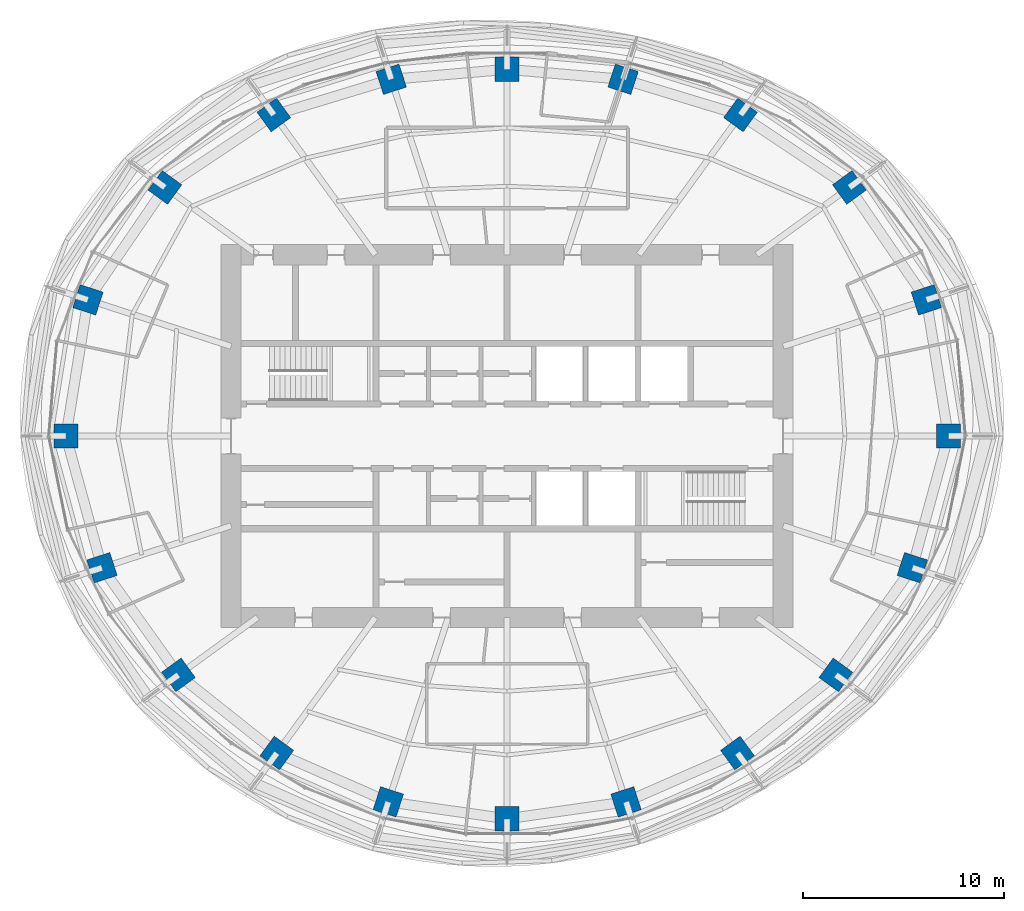
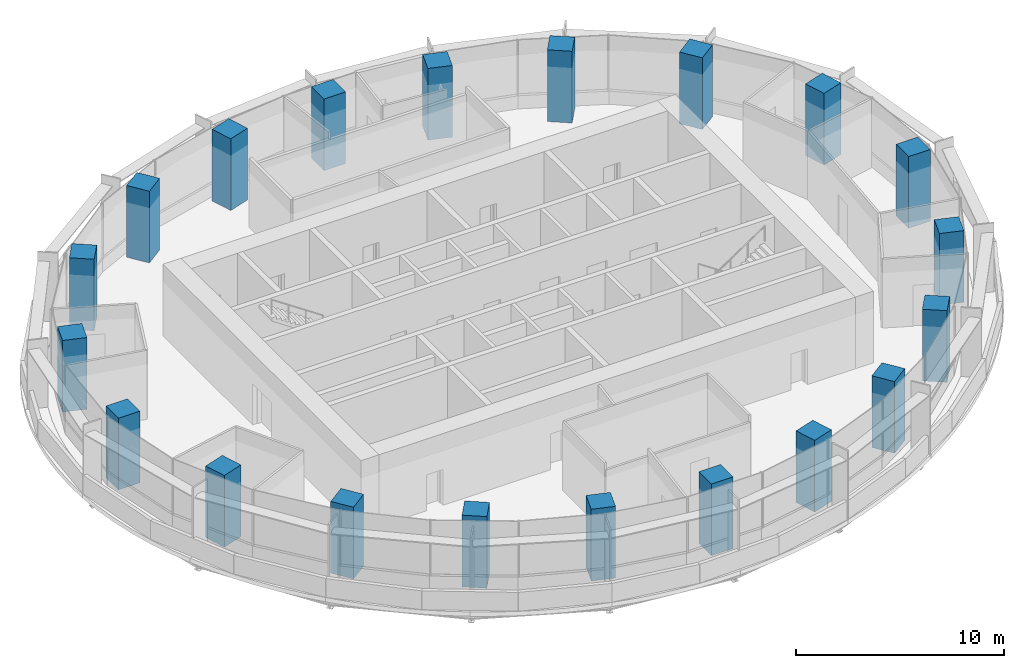
# One storey, part 1 of 15: 20 columns.
"""IFC4 building model written with IfcOpenShell, lengths in metres."""

import ifcopenshell
import ifcopenshell.guid

model = None  # the IFC model being written
_history = None  # IfcOwnerHistory: only IFC2X3 demands one
_inside = {}  # id of a spatial element -> (the spatial element, [elements in it])
_under = {}  # id of a project, library or spatial element -> (it, [spatial elements below it])
_declared = {}  # id of a project -> (the project, [libraries it declares])
_typed = {}  # id of a type object -> (the type object, [elements of that type])
_made_of = {}  # id of a material, layer set ... -> (it, [elements and type objects made of it])


def new_model(schema):
    """Start an empty IFC model of exactly this schema.

    Asked for "IFC4X3", IfcOpenShell would pick the latest addendum, in which some entities
    have other attributes; the version numbers below select the first issue.
    IFC2X3 requires an IfcOwnerHistory on every rooted entity: one is made here for all.
    """
    global model, _history
    if schema == "IFC4X3":
        model = ifcopenshell.file(schema_version=(4, 3, 0, 0))
    else:
        model = ifcopenshell.file(schema=schema)
    _inside.clear()
    _under.clear()
    _declared.clear()
    _typed.clear()
    _made_of.clear()
    _history = None
    if model.schema == "IFC2X3":
        org = make("IfcOrganization", Name="unknown")
        user = make(
            "IfcPersonAndOrganization",
            ThePerson=make("IfcPerson", FamilyName="unknown"),
            TheOrganization=org,
        )
        app = make(
            "IfcApplication",
            ApplicationDeveloper=org,
            Version="unknown",
            ApplicationFullName="unknown",
            ApplicationIdentifier="unknown",
        )
        _history = make(
            "IfcOwnerHistory",
            OwningUser=user,
            OwningApplication=app,
            ChangeAction="ADDED",
            CreationDate=0,
        )
    return model


def make(cls, **values):
    """One entity of the class cls with the attributes given. An attribute that is None is left unset."""
    return model.create_entity(
        cls, **{name: value for name, value in values.items() if value is not None}
    )


def rooted(cls, **values):
    """An entity with a GlobalId (a new one), such as an element, a storey or a relation."""
    return make(cls, GlobalId=ifcopenshell.guid.new(), OwnerHistory=_history, **values)


def si_unit(unit_type, name, prefix=None):
    """IfcSIUnit, for example si_unit("LENGTHUNIT", "METRE", prefix="MILLI")."""
    return make("IfcSIUnit", UnitType=unit_type, Prefix=prefix, Name=name)


def assignment(units):
    """IfcUnitAssignment: the units of a project."""
    return None if units is None else make("IfcUnitAssignment", Units=units)


def point(xyz):
    """IfcCartesianPoint."""
    return None if xyz is None else make("IfcCartesianPoint", Coordinates=xyz)


def direction(xyz):
    """IfcDirection."""
    return None if xyz is None else make("IfcDirection", DirectionRatios=xyz)


def frame(location, z_axis=None, x_axis=None):
    """IfcAxis2Placement3D, a coordinate frame: its origin and axes. An axis left out is left unset."""
    return make(
        "IfcAxis2Placement3D",
        Location=point(location),
        Axis=direction(z_axis),
        RefDirection=direction(x_axis),
    )


def frame_2d(location, x_axis=None):
    """IfcAxis2Placement2D, a coordinate frame in the plane: its origin and x axis."""
    return make(
        "IfcAxis2Placement2D", Location=point(location), RefDirection=direction(x_axis)
    )


def origin():
    """The frame at (0, 0, 0) with its axes left unset."""
    return frame((0.0, 0.0, 0.0))


def origin_2d():
    """The frame at (0, 0) in the plane with its x axis left unset."""
    return frame_2d((0.0, 0.0))


def place(relative_to, where):
    """IfcLocalPlacement: puts the frame where relative to a parent placement (None: the world)."""
    return make(
        "IfcLocalPlacement", PlacementRelTo=relative_to, RelativePlacement=where
    )


def context(
    kind, dimensions, precision=None, world=None, true_north=None, identifier=None
):
    """IfcGeometricRepresentationContext, for example the 3D "Model" context."""
    return make(
        "IfcGeometricRepresentationContext",
        ContextIdentifier=identifier,
        ContextType=kind,
        CoordinateSpaceDimension=dimensions,
        Precision=precision,
        WorldCoordinateSystem=world,
        TrueNorth=true_north,
    )


def subcontext(parent, identifier, kind, view, scale=None):
    """IfcGeometricRepresentationSubContext, for example "Body" below "Model"."""
    return make(
        "IfcGeometricRepresentationSubContext",
        ContextIdentifier=identifier,
        ContextType=kind,
        ParentContext=parent,
        TargetScale=scale,
        TargetView=view,
    )


def project(units=None, contexts=None):
    """IfcProject with its units and contexts."""
    return rooted(
        "IfcProject",
        Name="project",
        RepresentationContexts=contexts,
        UnitsInContext=assignment(units),
    )


def spatial(cls, under=None, at=None, **own):
    """A site, building, storey or space (cls), placed at a placement, below another one or the project."""
    s = rooted(cls, ObjectPlacement=at, **own)
    if under is not None:
        _under.setdefault(under.id(), (under, []))[1].append(s)
    return s


def profile(cls, at=None, kind="AREA", **sizes):
    """A parametric profile (cls). Its sizes go by their IFC names, for example OverallWidth=200.0."""
    return make(cls, ProfileType=kind, Position=at, **sizes)


def rectangle(**sizes):
    """IfcRectangleProfileDef."""
    return profile("IfcRectangleProfileDef", **sizes)


def extrude(swept, where, along, depth):
    """IfcExtrudedAreaSolid: the profile swept, set in the frame where, extruded along a direction by depth."""
    return make(
        "IfcExtrudedAreaSolid",
        SweptArea=swept,
        Position=where,
        ExtrudedDirection=direction(along),
        Depth=depth,
    )


def shape(context_of_items, identifier, shape_type, items):
    """IfcShapeRepresentation: the items that make up one representation, for example the "Body"."""
    return make(
        "IfcShapeRepresentation",
        ContextOfItems=context_of_items,
        RepresentationIdentifier=identifier,
        RepresentationType=shape_type,
        Items=items,
    )


def material(Name=None, Category=None):
    """IfcMaterial."""
    return make("IfcMaterial", Name=Name, Category=Category)


def material_profile(
    of_material, cross_section, Name=None, Category=None, Priority=None
):
    """IfcMaterialProfile: a cross section and its material."""
    return make(
        "IfcMaterialProfile",
        Name=Name,
        Material=of_material,
        Profile=cross_section,
        Priority=Priority,
        Category=Category,
    )


def profile_set(profiles, Name=None, composite=None):
    """IfcMaterialProfileSet."""
    return make(
        "IfcMaterialProfileSet",
        Name=Name,
        MaterialProfiles=profiles,
        CompositeProfile=composite,
    )


def made_of(thing, what):
    """Note that an element or type object is made of a material, layer set ...; save() writes the relation."""
    if what is not None:
        _made_of.setdefault(what.id(), (what, []))[1].append(thing)
    return thing


def type_object(cls, material=None, **own):
    """A type object (cls), such as IfcWallType, which elements share."""
    return made_of(rooted(cls, **own), material)


def element(
    cls,
    number,
    at=None,
    inside=None,
    cuts=None,
    type_object=None,
    material=None,
    context=None,
    identifier="Body",
    shape_type=None,
    held_by="IfcProductDefinitionShape",
    body=None,
    shapes=None,
    **own,
):
    """One element of the class cls, such as IfcWall. Its Tag is "e" and its number.

    at: its placement. inside: the storey or other place that contains it. cuts: it is an
    opening in that element (IfcRelVoidsElement). A single representation is given by context,
    identifier, shape_type and body (its items); several are given by shapes. held_by: the class
    of the entity that holds the representations. save() writes the other relations.
    """
    e = rooted(cls, Tag="e%d" % number, ObjectPlacement=at, **own)
    if body is not None:
        shapes = [shape(context, identifier, shape_type, body)]
    if shapes is not None:
        e.Representation = make(held_by, Representations=shapes)
    if inside is not None:
        _inside.setdefault(inside.id(), (inside, []))[1].append(e)
    if cuts is not None:
        rooted(
            "IfcRelVoidsElement", RelatingBuildingElement=cuts, RelatedOpeningElement=e
        )
    if type_object is not None:
        _typed.setdefault(type_object.id(), (type_object, []))[1].append(e)
    return made_of(e, material)


def aggregate(whole, parts):
    """IfcRelAggregates: a whole, such as a stair, and the parts it consists of."""
    return rooted("IfcRelAggregates", RelatingObject=whole, RelatedObjects=parts)


def save(model, path):
    """Write the relations noted so far, then the file.

    IfcRelAggregates (storeys below a building ...), IfcRelContainedInSpatialStructure (elements
    in a storey), IfcRelDefinesByType, IfcRelAssociatesMaterial and IfcRelDeclares: one each for
    every whole, place, type object, material and project.
    """
    for whole, parts in _under.values():
        aggregate(whole, parts)
    for where, things in _inside.values():
        rooted(
            "IfcRelContainedInSpatialStructure",
            RelatedElements=things,
            RelatingStructure=where,
        )
    for kind, things in _typed.values():
        rooted("IfcRelDefinesByType", RelatedObjects=things, RelatingType=kind)
    for what, things in _made_of.values():
        rooted("IfcRelAssociatesMaterial", RelatedObjects=things, RelatingMaterial=what)
    for by, libraries in _declared.values():
        rooted("IfcRelDeclares", RelatingContext=by, RelatedDefinitions=libraries)
    model.write(path)


model = new_model("IFC4")

# Units and contexts
model_context = context("Model", 3, precision=1e-05, world=origin(), true_north=direction((0.0, 1.0)))
body_context = subcontext(model_context, "Body", "Model", "MODEL_VIEW")
ifc_project = project(units=[si_unit("LENGTHUNIT", "METRE"), si_unit("AREAUNIT", "SQUARE_METRE"), si_unit("VOLUMEUNIT", "CUBIC_METRE"), si_unit("PLANEANGLEUNIT", "RADIAN"), si_unit("MASSUNIT", "GRAM", prefix="KILO")], contexts=[model_context])

# Site, building, storey
site_placement = place(None, origin())
site = spatial("IfcSite", under=ifc_project, at=site_placement, CompositionType="ELEMENT")
building_placement = place(site_placement, origin())
building = spatial("IfcBuilding", under=site, at=building_placement, Name="Marramba Exchange Tower", CompositionType="ELEMENT")
storey_placement = place(building_placement, frame((0.0, 0.0, 251.800048828125)))
storey = spatial("IfcBuildingStorey", under=building, at=storey_placement, Name="L61", CompositionType="ELEMENT", Elevation=251.800048828125)

# Columns
ifc_material = material(Name="Concrete N50", Category="concrete")
ifc_material_profile = material_profile(ifc_material, rectangle(XDim=1.199951171875, YDim=1.199951171875, at=origin_2d()), Name="RC 1200x1200")
ifc_profile_set = profile_set([ifc_material_profile], Name="Concrete N50")
column_type = type_object("IfcColumnType", Name="Perimeter column RC 1200x1200 N50", PredefinedType="COLUMN", material=ifc_profile_set)
for number, where, z_axis, x_axis, name in (
    (1, (21.89990234375, 0.0, 0.0), (0.0, 0.0, 1.0), (1.0, 0.0, 0.0), "Column TC01 L61"),
    (2, (20.808349609375, 6.760986328125, 0.0), (0.0, 0.0, 1.0), (0.951056516295, 0.309016994375, 0.0), "Column TC02 L61"),
    (3, (16.98583984375, 12.3408203125, 0.0), (0.0, 0.0, 1.0), (0.809016994375, 0.587785252292, 0.0), "Column TC03 L61"),
    (4, (11.581298828125, 15.9404296875, 0.0), (0.0, 0.0, 1.0), (0.587785252292, 0.809016994375, 0.0), "Column TC04 L61"),
    (5, (5.75390625, 17.70849609375, 0.0), (0.0, 0.0, 1.0), (0.309016994375, 0.951056516295, 0.0), "Column TC05 L61"),
    (6, (0.0, 18.2041015625, 0.0), (0.0, 0.0, 1.0), (0.0, 1.0, 0.0), "Column TC06 L61"),
    (7, (-5.75390625, 17.70849609375, 0.0), (0.0, 0.0, 1.0), (-0.309016994375, 0.951056516295, 0.0), "Column TC07 L61"),
    (8, (-11.581298828125, 15.9404296875, 0.0), (0.0, 0.0, 1.0), (-0.587785252292, 0.809016994375, 0.0), "Column TC08 L61"),
    (9, (-16.98583984375, 12.3408203125, 0.0), (0.0, 0.0, 1.0), (-0.809016994375, 0.587785252292, 0.0), "Column TC09 L61"),
    (10, (-20.808349609375, 6.760986328125, 0.0), (0.0, 0.0, 1.0), (-0.951056516295, 0.309016994375, 0.0), "Column TC10 L61"),
    (11, (-21.89990234375, 0.0, 0.0), (0.0, 0.0, 1.0), (-1.0, 0.0, 0.0), "Column TC11 L61"),
    (12, (-20.109375, -6.533935546875, 0.0), (0.0, 0.0, 1.0), (-0.951056516295, -0.309016994375, 0.0), "Column TC12 L61"),
    (13, (-16.3154296875, -11.853759765625, 0.0), (0.0, 0.0, 1.0), (-0.809016994375, -0.587785252292, 0.0), "Column TC13 L61"),
    (14, (-11.430419921875, -15.732666015625, 0.0), (0.0, 0.0, 1.0), (-0.587785252292, -0.809016994375, 0.0), "Column TC14 L61"),
    (15, (-5.899658203125, -18.156982421875, 0.0), (0.0, 0.0, 1.0), (-0.309016994375, -0.951056516295, 0.0), "Column TC15 L61"),
    (16, (0.0, -18.99609375, 0.0), (0.0, 0.0, 1.0), (0.0, -1.0, 0.0), "Column TC16 L61"),
    (17, (5.899658203125, -18.156982421875, 0.0), (0.0, 0.0, 1.0), (0.309016994375, -0.951056516295, 0.0), "Column TC17 L61"),
    (18, (11.430419921875, -15.732666015625, 0.0), (0.0, 0.0, 1.0), (0.587785252292, -0.809016994375, 0.0), "Column TC18 L61"),
    (19, (16.3154296875, -11.853759765625, 0.0), (0.0, 0.0, 1.0), (0.809016994375, -0.587785252292, 0.0), "Column TC19 L61"),
    (20, (20.109375, -6.533935546875, 0.0), (0.0, 0.0, 1.0), (0.951056516295, -0.309016994375, 0.0), "Column TC20 L61"),
):
    element("IfcColumn", number, at=place(storey_placement, frame(where, z_axis=z_axis, x_axis=x_axis)), inside=storey, type_object=column_type, Name=name, PredefinedType="COLUMN", context=body_context, shape_type="SweptSolid", body=[
        extrude(rectangle(XDim=1.199951171875, YDim=1.199951171875, at=origin_2d()), origin(), (0.0, 0.0, 1.0), 4.199951171875),
    ])

save(model, "model.ifc")
